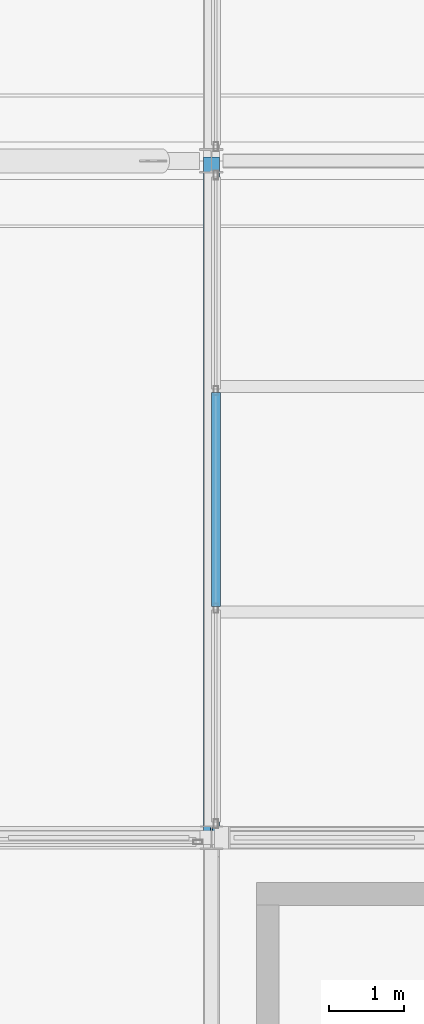
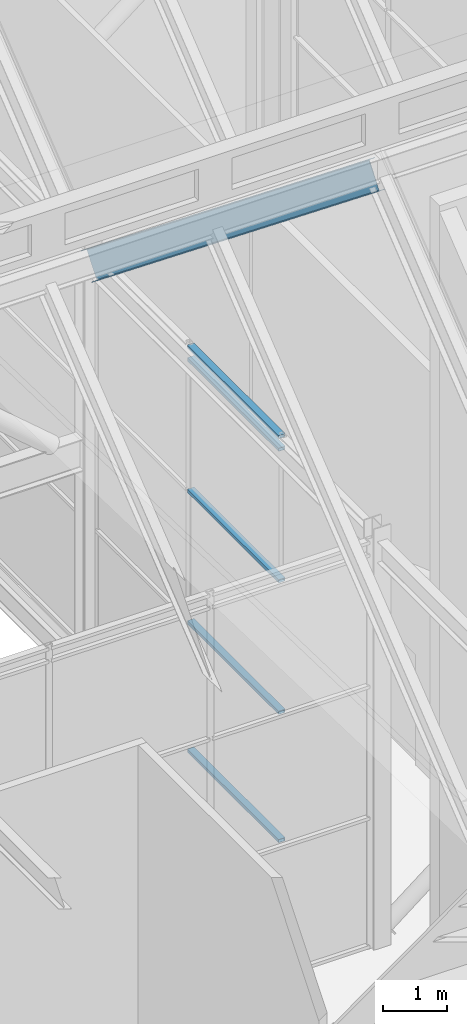
# One storey, part 66 of 144: 6 members, 1 element without a shape of its own.
"""IFC4 building model written with IfcOpenShell, lengths in metres."""

from ifc_helpers import new_model, si_unit, direction, frame, origin, origin_2d, place, context, subcontext, project, spatial, hollow_rectangle, i_section, extrude, material, layer, layer_set, material_profile, profile_set, type_object, element, aggregate, save


model = new_model("IFC4")

# Units and contexts
model_context = context("Model", 3, precision=1e-05, world=origin(), true_north=direction((0.0, 1.0)))
body_context = subcontext(model_context, "Body", "Model", "MODEL_VIEW")
ifc_project = project(units=[si_unit("LENGTHUNIT", "METRE"), si_unit("AREAUNIT", "SQUARE_METRE"), si_unit("VOLUMEUNIT", "CUBIC_METRE"), si_unit("PLANEANGLEUNIT", "RADIAN"), si_unit("MASSUNIT", "GRAM", prefix="KILO")], contexts=[model_context])

# Site, building, storey
site_placement = place(None, origin())
site = spatial("IfcSite", under=ifc_project, at=site_placement, CompositionType="ELEMENT")
building_placement = place(site_placement, origin())
building = spatial("IfcBuilding", under=site, at=building_placement, Name="Shorebreak Coast Museum", CompositionType="ELEMENT")
storey_placement = place(building_placement, frame((0.0, 0.0, 36.0)))
storey = spatial("IfcBuildingStorey", under=building, at=storey_placement, Name="L06", CompositionType="ELEMENT", Elevation=36.0)

# Member
ifc_material_1 = material(Name="Steel Grade 300", Category="steel")
ifc_material_profile_1 = material_profile(ifc_material_1, i_section(OverallWidth=0.208984375, OverallDepth=0.5283203125, WebThickness=0.009521484375, FlangeThickness=0.01318359375, FilletRadius=0.013916015625, at=origin_2d()), Name="530UB82.0")
ifc_profile_set_1 = profile_set([ifc_material_profile_1], Name="Steel Grade 300")
member_type_1 = type_object("IfcMemberType", Name="Fold rib rafter 530UB82.0", PredefinedType="RAFTER", material=ifc_profile_set_1)
member_1_placement = place(storey_placement, frame((108.0, 63.094970703125, 14.52978515625), z_axis=(0.0, 0.780866693621, -0.624697692322), x_axis=(-1.0, 0.0, 0.0)))
element("IfcMember", 1, at=member_1_placement, inside=storey, type_object=member_type_1, Name="Fold rib rafter FOLD-X line 2 19", PredefinedType="RAFTER", context=body_context, shape_type="SweptSolid", body=[
    extrude(i_section(OverallWidth=0.208984375, OverallDepth=0.5283203125, WebThickness=0.009521484375, FlangeThickness=0.01318359375, FilletRadius=0.013916015625, at=origin_2d()), origin(), (0.0, 0.0, 1.0), 11.25732421875),
])

# Curtain wall, members
ifc_material_2 = material(Name="Aluminium", Category="aluminium")
ifc_layer = layer(ifc_material_2, 0.1201171875)
ifc_layer_set = layer_set([ifc_layer], Name="Aluminium")
curtain_wall_type = type_object("IfcCurtainWallType", Name="Atrium fire screen", PredefinedType="NOTDEFINED", material=ifc_layer_set)
curtain_wall_placement = place(storey_placement, origin())
curtain_wall = element("IfcCurtainWall", 2, at=curtain_wall_placement, inside=storey, type_object=curtain_wall_type, Name="Atrium screen L06 E 91", PredefinedType="NOTDEFINED")
ifc_material_3 = material(Name="Aluminium", Category="aluminium")
ifc_material_profile_2 = material_profile(ifc_material_3, hollow_rectangle(XDim=0.1201171875, YDim=0.06005859375, WallThickness=0.00341796875, at=origin_2d()), Name="AL 60x120 RHS")
ifc_profile_set_2 = profile_set([ifc_material_profile_2], Name="Aluminium")
member_type_2 = type_object("IfcMemberType", Name="Screen transom 120 x 50", PredefinedType="USERDEFINED", material=ifc_profile_set_2)
member_2_placement = place(storey_placement, frame((108.06005859375, 66.075439453125, 0.06005859375), z_axis=(0.0, 1.0, 0.0), x_axis=(-1.0, 0.0, 0.0)))
member_2 = element("IfcMember", 3, at=member_2_placement, type_object=member_type_2, Name="CW5 transom 2.1", ObjectType="TRANSOM", PredefinedType="USERDEFINED", context=body_context, shape_type="SweptSolid", body=[
    extrude(hollow_rectangle(XDim=0.1201171875, YDim=0.06005859375, WallThickness=0.00341796875, at=origin_2d()), origin(), (0.0, 0.0, 1.0), 2.843017578125),
])
member_3_placement = place(storey_placement, frame((108.06005859375, 66.075439453125, 2.5), z_axis=(0.0, 1.0, 0.0), x_axis=(-1.0, 0.0, 0.0)))
member_3 = element("IfcMember", 4, at=member_3_placement, type_object=member_type_2, Name="CW5 transom 2.2", ObjectType="TRANSOM", PredefinedType="USERDEFINED", context=body_context, shape_type="SweptSolid", body=[
    extrude(hollow_rectangle(XDim=0.1201171875, YDim=0.06005859375, WallThickness=0.00341796875, at=origin_2d()), origin(), (0.0, 0.0, 1.0), 2.843017578125),
])
member_4_placement = place(storey_placement, frame((108.06005859375, 66.075439453125, 5.0), z_axis=(0.0, 1.0, 0.0), x_axis=(-1.0, 0.0, 0.0)))
member_4 = element("IfcMember", 5, at=member_4_placement, type_object=member_type_2, Name="CW5 transom 2.3", ObjectType="TRANSOM", PredefinedType="USERDEFINED", context=body_context, shape_type="SweptSolid", body=[
    extrude(hollow_rectangle(XDim=0.1201171875, YDim=0.06005859375, WallThickness=0.00341796875, at=origin_2d()), origin(), (0.0, 0.0, 1.0), 2.843017578125),
])
member_5_placement = place(storey_placement, frame((108.06005859375, 66.075439453125, 7.5), z_axis=(0.0, 1.0, 0.0), x_axis=(-1.0, 0.0, 0.0)))
member_5 = element("IfcMember", 6, at=member_5_placement, type_object=member_type_2, Name="CW5 transom 2.4", ObjectType="TRANSOM", PredefinedType="USERDEFINED", context=body_context, shape_type="SweptSolid", body=[
    extrude(hollow_rectangle(XDim=0.1201171875, YDim=0.06005859375, WallThickness=0.00341796875, at=origin_2d()), origin(), (0.0, 0.0, 1.0), 2.843017578125),
])
member_6_placement = place(storey_placement, frame((108.06005859375, 66.075439453125, 7.739990234375), z_axis=(0.0, 1.0, 0.0), x_axis=(-1.0, 0.0, 0.0)))
member_6 = element("IfcMember", 7, at=member_6_placement, type_object=member_type_2, Name="CW5 transom 2.5", ObjectType="TRANSOM", PredefinedType="USERDEFINED", context=body_context, shape_type="SweptSolid", body=[
    extrude(hollow_rectangle(XDim=0.1201171875, YDim=0.06005859375, WallThickness=0.00341796875, at=origin_2d()), origin(), (0.0, 0.0, 1.0), 2.843017578125),
])
aggregate(curtain_wall, [member_2, member_3, member_4, member_5, member_6])

save(model, "model.ifc")
